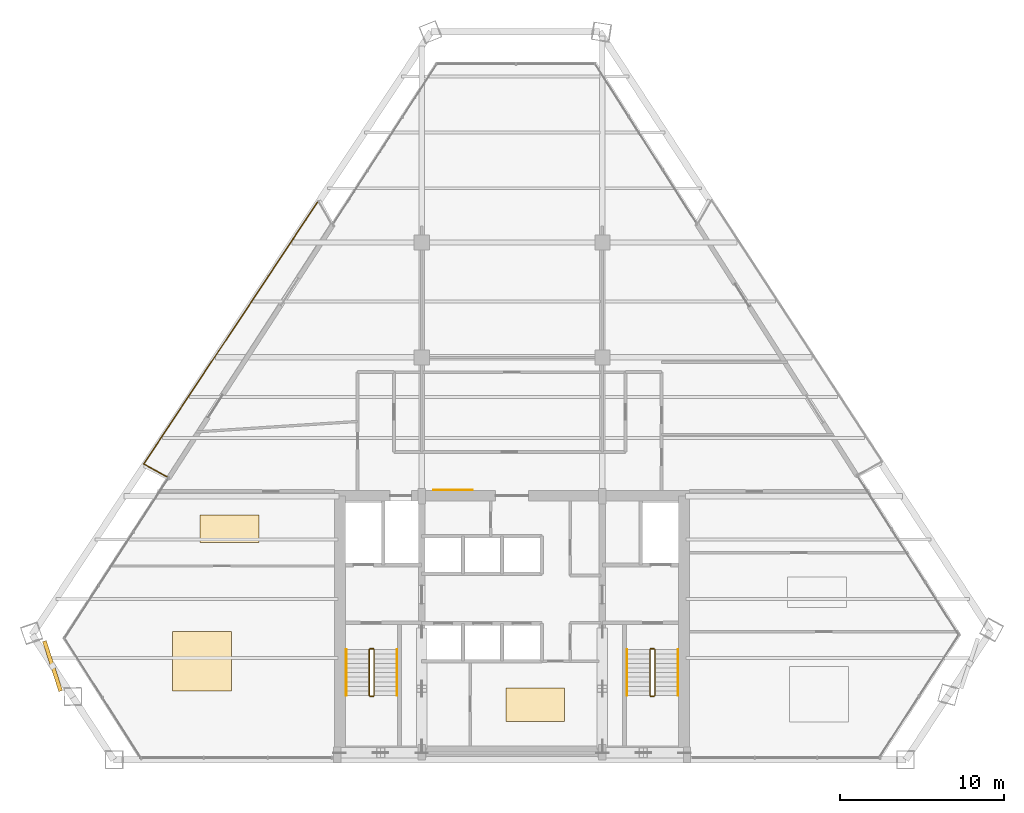
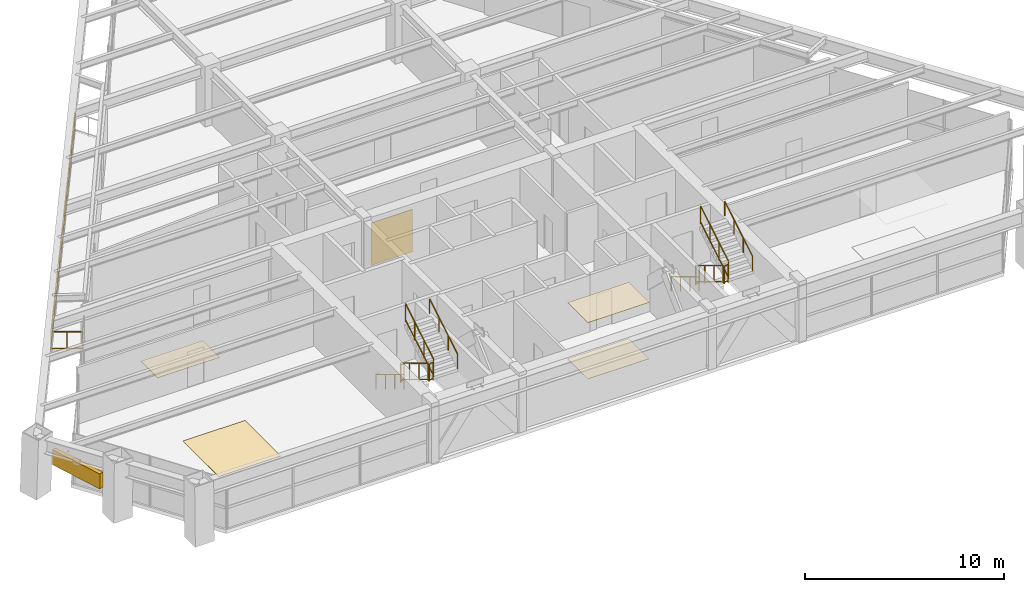
# One storey, part 14 of 15: 14 railings, 5 coverings, 1 shading device.
"""IFC4 building model written with IfcOpenShell, lengths in metres."""

from ifc_helpers import new_model, si_unit, direction, frame, origin, origin_2d, place, context, subcontext, project, spatial, rectangle, extrude, source, transform, mapped, material, layer, layer_set, type_object, type_shapes, element, save


model = new_model("IFC4")

# Units and contexts
model_context = context("Model", 3, precision=1e-05, world=origin(), true_north=direction((0.0, 1.0)))
body_context = subcontext(model_context, "Body", "Model", "MODEL_VIEW")
ifc_project = project(units=[si_unit("LENGTHUNIT", "METRE"), si_unit("AREAUNIT", "SQUARE_METRE"), si_unit("VOLUMEUNIT", "CUBIC_METRE"), si_unit("PLANEANGLEUNIT", "RADIAN"), si_unit("MASSUNIT", "GRAM", prefix="KILO")], contexts=[model_context])

# Site, building, storey
site_placement = place(None, origin())
site = spatial("IfcSite", under=ifc_project, at=site_placement, CompositionType="ELEMENT")
building_placement = place(site_placement, origin())
building = spatial("IfcBuilding", under=site, at=building_placement, Name="Varnakhor Terracotta Tower", CompositionType="ELEMENT")
storey_placement = place(building_placement, frame((0.0, 0.0, 144.10009765625)))
storey = spatial("IfcBuildingStorey", under=building, at=storey_placement, Name="L36", CompositionType="ELEMENT", Elevation=144.10009765625)

# Railings
ifc_material_1 = material(Name="Stainless Steel & Laminated Glass Guardrail", Category="steel")
railing_type_1 = type_object("IfcRailingType", Name="RLG-LOGGIA-GUARD-1150", PredefinedType="GUARDRAIL", material=ifc_material_1)
railing_1_placement = place(storey_placement, frame((-21.018798828125, 17.227783203125, 0.0)))
element("IfcRailing", 1, at=railing_1_placement, inside=storey, type_object=railing_type_1, Name="L36 W Loggia Glass Guard 1", PredefinedType="GUARDRAIL", context=body_context, shape_type="SweptSolid", body=[
    extrude(rectangle(XDim=0.048095703125, YDim=0.048095703125, at=origin_2d()), frame((0.0, 0.0, 1.1259765625), z_axis=(-0.872738452506, 0.488188071871, 0.0), x_axis=(-0.488188071871, -0.872738452506, 0.0)), (0.0, 0.0, 1.0), 1.611328125),
    extrude(rectangle(XDim=0.048095703125, YDim=0.048095703125, at=origin_2d()), frame((0.0, 0.0, 0.10009765625), z_axis=(-0.872738452506, 0.488188071871, 0.0), x_axis=(-0.488188071871, -0.872738452506, 0.0)), (0.0, 0.0, 1.0), 1.611328125),
    extrude(rectangle(XDim=0.0419921875, YDim=0.0419921875, at=origin_2d()), origin(), (0.0, 0.0, 1.0), 1.101806640625),
    extrude(rectangle(XDim=0.0419921875, YDim=0.0419921875, at=origin_2d()), frame((-0.703125, 0.393310546875, 0.0)), (0.0, 0.0, 1.0), 1.101806640625),
    extrude(rectangle(XDim=0.0419921875, YDim=0.0419921875, at=origin_2d()), frame((-1.40625, 0.78662109375, 0.0)), (0.0, 0.0, 1.0), 1.101806640625),
])
railing_2_placement = place(storey_placement, frame((-22.425048828125, 18.014404296875, 0.0)))
element("IfcRailing", 2, at=railing_2_placement, inside=storey, type_object=railing_type_1, Name="L36 W Loggia Glass Guard 2", PredefinedType="GUARDRAIL", context=body_context, shape_type="SweptSolid", body=[
    extrude(rectangle(XDim=0.048095703125, YDim=0.048095703125, at=origin_2d()), frame((0.0, 0.0, 1.1259765625), z_axis=(0.553014923303, 0.833171347686, 0.0), x_axis=(-0.833171347686, 0.553014923303, 0.0)), (0.0, 0.0, 1.0), 19.2021484375),
    extrude(rectangle(XDim=0.048095703125, YDim=0.048095703125, at=origin_2d()), frame((0.0, 0.0, 0.10009765625), z_axis=(0.553014923303, 0.833171347686, 0.0), x_axis=(-0.833171347686, 0.553014923303, 0.0)), (0.0, 0.0, 1.0), 19.2021484375),
    extrude(rectangle(XDim=0.0419921875, YDim=0.0419921875, at=origin_2d()), origin(), (0.0, 0.0, 1.0), 1.101806640625),
    extrude(rectangle(XDim=0.0419921875, YDim=0.0419921875, at=origin_2d()), frame((0.758544921875, 1.142822265625, 0.0)), (0.0, 0.0, 1.0), 1.101806640625),
    extrude(rectangle(XDim=0.0419921875, YDim=0.0419921875, at=origin_2d()), frame((1.51708984375, 2.28564453125, 0.0)), (0.0, 0.0, 1.0), 1.101806640625),
    extrude(rectangle(XDim=0.0419921875, YDim=0.0419921875, at=origin_2d()), frame((2.275634765625, 3.42822265625, 0.0)), (0.0, 0.0, 1.0), 1.101806640625),
    extrude(rectangle(XDim=0.0419921875, YDim=0.0419921875, at=origin_2d()), frame((3.033935546875, 4.571044921875, 0.0)), (0.0, 0.0, 1.0), 1.101806640625),
    extrude(rectangle(XDim=0.0419921875, YDim=0.0419921875, at=origin_2d()), frame((3.79248046875, 5.7138671875, 0.0)), (0.0, 0.0, 1.0), 1.101806640625),
    extrude(rectangle(XDim=0.0419921875, YDim=0.0419921875, at=origin_2d()), frame((4.551025390625, 6.856689453125, 0.0)), (0.0, 0.0, 1.0), 1.101806640625),
    extrude(rectangle(XDim=0.0419921875, YDim=0.0419921875, at=origin_2d()), frame((5.3095703125, 7.99951171875, 0.0)), (0.0, 0.0, 1.0), 1.101806640625),
    extrude(rectangle(XDim=0.0419921875, YDim=0.0419921875, at=origin_2d()), frame((6.068115234375, 9.14208984375, 0.0)), (0.0, 0.0, 1.0), 1.101806640625),
    extrude(rectangle(XDim=0.0419921875, YDim=0.0419921875, at=origin_2d()), frame((6.82666015625, 10.284912109375, 0.0)), (0.0, 0.0, 1.0), 1.101806640625),
    extrude(rectangle(XDim=0.0419921875, YDim=0.0419921875, at=origin_2d()), frame((7.585205078125, 11.427734375, 0.0)), (0.0, 0.0, 1.0), 1.101806640625),
    extrude(rectangle(XDim=0.0419921875, YDim=0.0419921875, at=origin_2d()), frame((8.343505859375, 12.570556640625, 0.0)), (0.0, 0.0, 1.0), 1.101806640625),
    extrude(rectangle(XDim=0.0419921875, YDim=0.0419921875, at=origin_2d()), frame((9.10205078125, 13.713134765625, 0.0)), (0.0, 0.0, 1.0), 1.101806640625),
    extrude(rectangle(XDim=0.0419921875, YDim=0.0419921875, at=origin_2d()), frame((9.860595703125, 14.85595703125, 0.0)), (0.0, 0.0, 1.0), 1.101806640625),
    extrude(rectangle(XDim=0.0419921875, YDim=0.0419921875, at=origin_2d()), frame((10.619140625, 15.998779296875, 0.0)), (0.0, 0.0, 1.0), 1.101806640625),
])
ifc_material_2 = material(Name="Painted Steel Stairwell Guardrail", Category="steel")
railing_type_2 = type_object("IfcRailingType", Name="RLG-STAIR-GUARD-1120", PredefinedType="GUARDRAIL", material=ifc_material_2)
railing_3_placement = place(storey_placement, frame((-8.699951171875, 6.7099609375, 0.16796875)))
element("IfcRailing", 3, at=railing_3_placement, inside=storey, type_object=railing_type_2, Name="L36 ST-1 stair guard 1", PredefinedType="GUARDRAIL", context=body_context, shape_type="SweptSolid", body=[
    extrude(rectangle(XDim=0.048095703125, YDim=0.048095703125, at=origin_2d()), frame((0.0, 0.0, 1.09619140625), z_axis=(0.0, -0.857242210791, 0.514913383045), x_axis=(1.0, 0.0, 0.0)), (0.0, 0.0, 1.0), 3.266357421875),
    extrude(rectangle(XDim=0.048095703125, YDim=0.048095703125, at=origin_2d()), frame((0.0, 0.0, 0.10009765625), z_axis=(0.0, -0.857242210791, 0.514913383045), x_axis=(1.0, 0.0, 0.0)), (0.0, 0.0, 1.0), 3.266357421875),
    extrude(rectangle(XDim=0.0419921875, YDim=0.0419921875, at=origin_2d()), origin(), (0.0, 0.0, 1.0), 1.072021484375),
    extrude(rectangle(XDim=0.0419921875, YDim=0.0419921875, at=origin_2d()), frame((0.0, -0.933349609375, 0.560546875)), (0.0, 0.0, 1.0), 1.072021484375),
    extrude(rectangle(XDim=0.0419921875, YDim=0.0419921875, at=origin_2d()), frame((0.0, -1.86669921875, 1.121337890625)), (0.0, 0.0, 1.0), 1.072021484375),
    extrude(rectangle(XDim=0.0419921875, YDim=0.0419921875, at=origin_2d()), frame((0.0, -2.800048828125, 1.681884765625)), (0.0, 0.0, 1.0), 1.072021484375),
])
railing_4_placement = place(storey_placement, frame((-8.64990234375, 3.860107421875, 1.849853515625)))
element("IfcRailing", 4, at=railing_4_placement, inside=storey, type_object=railing_type_2, Name="L36 ST-1 stair guard 2", PredefinedType="GUARDRAIL", context=body_context, shape_type="SweptSolid", body=[
    extrude(rectangle(XDim=0.048095703125, YDim=0.048095703125, at=origin_2d()), frame((0.0, 0.0, 1.09619140625), z_axis=(1.0, 0.0, 0.0), x_axis=(0.0, 1.0, 0.0)), (0.0, 0.0, 1.0), 0.199951171875),
    extrude(rectangle(XDim=0.048095703125, YDim=0.048095703125, at=origin_2d()), frame((0.0, 0.0, 0.10009765625), z_axis=(1.0, 0.0, 0.0), x_axis=(0.0, 1.0, 0.0)), (0.0, 0.0, 1.0), 0.199951171875),
    extrude(rectangle(XDim=0.0419921875, YDim=0.0419921875, at=origin_2d()), origin(), (0.0, 0.0, 1.0), 1.072021484375),
    extrude(rectangle(XDim=0.0419921875, YDim=0.0419921875, at=origin_2d()), frame((0.199951171875, 0.0, 0.0)), (0.0, 0.0, 1.0), 1.072021484375),
])
railing_5_placement = place(storey_placement, frame((-8.39990234375, 3.909912109375, 2.01806640625)))
element("IfcRailing", 5, at=railing_5_placement, inside=storey, type_object=railing_type_2, Name="L36 ST-1 stair guard 3", PredefinedType="GUARDRAIL", context=body_context, shape_type="SweptSolid", body=[
    extrude(rectangle(XDim=0.048095703125, YDim=0.048095703125, at=origin_2d()), frame((0.0, 0.0, 1.09619140625), z_axis=(0.0, 0.857242210791, 0.514913383045), x_axis=(-1.0, 0.0, 0.0)), (0.0, 0.0, 1.0), 3.266357421875),
    extrude(rectangle(XDim=0.048095703125, YDim=0.048095703125, at=origin_2d()), frame((0.0, 0.0, 0.10009765625), z_axis=(0.0, 0.857242210791, 0.514913383045), x_axis=(-1.0, 0.0, 0.0)), (0.0, 0.0, 1.0), 3.266357421875),
    extrude(rectangle(XDim=0.0419921875, YDim=0.0419921875, at=origin_2d()), origin(), (0.0, 0.0, 1.0), 1.072021484375),
    extrude(rectangle(XDim=0.0419921875, YDim=0.0419921875, at=origin_2d()), frame((0.0, 0.933349609375, 0.560546875)), (0.0, 0.0, 1.0), 1.072021484375),
    extrude(rectangle(XDim=0.0419921875, YDim=0.0419921875, at=origin_2d()), frame((0.0, 1.86669921875, 1.121337890625)), (0.0, 0.0, 1.0), 1.072021484375),
    extrude(rectangle(XDim=0.0419921875, YDim=0.0419921875, at=origin_2d()), frame((0.0, 2.800048828125, 1.681884765625)), (0.0, 0.0, 1.0), 1.072021484375),
])
railing_6_placement = place(storey_placement, frame((-8.64990234375, 6.760009765625, 0.0)))
element("IfcRailing", 6, at=railing_6_placement, inside=storey, type_object=railing_type_2, Name="L36 ST-1 stair guard 4", PredefinedType="GUARDRAIL", context=body_context, shape_type="SweptSolid", body=[
    extrude(rectangle(XDim=0.048095703125, YDim=0.048095703125, at=origin_2d()), frame((0.0, 0.0, 1.09619140625), z_axis=(1.0, 0.0, 0.0), x_axis=(0.0, 1.0, 0.0)), (0.0, 0.0, 1.0), 0.199951171875),
    extrude(rectangle(XDim=0.048095703125, YDim=0.048095703125, at=origin_2d()), frame((0.0, 0.0, 0.10009765625), z_axis=(1.0, 0.0, 0.0), x_axis=(0.0, 1.0, 0.0)), (0.0, 0.0, 1.0), 0.199951171875),
    extrude(rectangle(XDim=0.0419921875, YDim=0.0419921875, at=origin_2d()), origin(), (0.0, 0.0, 1.0), 1.072021484375),
    extrude(rectangle(XDim=0.0419921875, YDim=0.0419921875, at=origin_2d()), frame((0.199951171875, 0.0, 0.0)), (0.0, 0.0, 1.0), 1.072021484375),
])
railing_7_placement = place(storey_placement, frame((8.39990234375, 6.7099609375, 0.16796875)))
element("IfcRailing", 7, at=railing_7_placement, inside=storey, type_object=railing_type_2, Name="L36 ST-2 stair guard 1", PredefinedType="GUARDRAIL", context=body_context, shape_type="SweptSolid", body=[
    extrude(rectangle(XDim=0.048095703125, YDim=0.048095703125, at=origin_2d()), frame((0.0, 0.0, 1.09619140625), z_axis=(0.0, -0.857242210791, 0.514913383045), x_axis=(1.0, 0.0, 0.0)), (0.0, 0.0, 1.0), 3.266357421875),
    extrude(rectangle(XDim=0.048095703125, YDim=0.048095703125, at=origin_2d()), frame((0.0, 0.0, 0.10009765625), z_axis=(0.0, -0.857242210791, 0.514913383045), x_axis=(1.0, 0.0, 0.0)), (0.0, 0.0, 1.0), 3.266357421875),
    extrude(rectangle(XDim=0.0419921875, YDim=0.0419921875, at=origin_2d()), origin(), (0.0, 0.0, 1.0), 1.072021484375),
    extrude(rectangle(XDim=0.0419921875, YDim=0.0419921875, at=origin_2d()), frame((0.0, -0.933349609375, 0.560546875)), (0.0, 0.0, 1.0), 1.072021484375),
    extrude(rectangle(XDim=0.0419921875, YDim=0.0419921875, at=origin_2d()), frame((0.0, -1.86669921875, 1.121337890625)), (0.0, 0.0, 1.0), 1.072021484375),
    extrude(rectangle(XDim=0.0419921875, YDim=0.0419921875, at=origin_2d()), frame((0.0, -2.800048828125, 1.681884765625)), (0.0, 0.0, 1.0), 1.072021484375),
])
railing_8_placement = place(storey_placement, frame((8.449951171875, 3.860107421875, 1.849853515625)))
element("IfcRailing", 8, at=railing_8_placement, inside=storey, type_object=railing_type_2, Name="L36 ST-2 stair guard 2", PredefinedType="GUARDRAIL", context=body_context, shape_type="SweptSolid", body=[
    extrude(rectangle(XDim=0.048095703125, YDim=0.048095703125, at=origin_2d()), frame((0.0, 0.0, 1.09619140625), z_axis=(1.0, 0.0, 0.0), x_axis=(0.0, 1.0, 0.0)), (0.0, 0.0, 1.0), 0.199951171875),
    extrude(rectangle(XDim=0.048095703125, YDim=0.048095703125, at=origin_2d()), frame((0.0, 0.0, 0.10009765625), z_axis=(1.0, 0.0, 0.0), x_axis=(0.0, 1.0, 0.0)), (0.0, 0.0, 1.0), 0.199951171875),
    extrude(rectangle(XDim=0.0419921875, YDim=0.0419921875, at=origin_2d()), origin(), (0.0, 0.0, 1.0), 1.072021484375),
    extrude(rectangle(XDim=0.0419921875, YDim=0.0419921875, at=origin_2d()), frame((0.199951171875, 0.0, 0.0)), (0.0, 0.0, 1.0), 1.072021484375),
])
railing_9_placement = place(storey_placement, frame((8.699951171875, 3.909912109375, 2.01806640625)))
element("IfcRailing", 9, at=railing_9_placement, inside=storey, type_object=railing_type_2, Name="L36 ST-2 stair guard 3", PredefinedType="GUARDRAIL", context=body_context, shape_type="SweptSolid", body=[
    extrude(rectangle(XDim=0.048095703125, YDim=0.048095703125, at=origin_2d()), frame((0.0, 0.0, 1.09619140625), z_axis=(0.0, 0.857242210791, 0.514913383045), x_axis=(-1.0, 0.0, 0.0)), (0.0, 0.0, 1.0), 3.266357421875),
    extrude(rectangle(XDim=0.048095703125, YDim=0.048095703125, at=origin_2d()), frame((0.0, 0.0, 0.10009765625), z_axis=(0.0, 0.857242210791, 0.514913383045), x_axis=(-1.0, 0.0, 0.0)), (0.0, 0.0, 1.0), 3.266357421875),
    extrude(rectangle(XDim=0.0419921875, YDim=0.0419921875, at=origin_2d()), origin(), (0.0, 0.0, 1.0), 1.072021484375),
    extrude(rectangle(XDim=0.0419921875, YDim=0.0419921875, at=origin_2d()), frame((0.0, 0.933349609375, 0.560546875)), (0.0, 0.0, 1.0), 1.072021484375),
    extrude(rectangle(XDim=0.0419921875, YDim=0.0419921875, at=origin_2d()), frame((0.0, 1.86669921875, 1.121337890625)), (0.0, 0.0, 1.0), 1.072021484375),
    extrude(rectangle(XDim=0.0419921875, YDim=0.0419921875, at=origin_2d()), frame((0.0, 2.800048828125, 1.681884765625)), (0.0, 0.0, 1.0), 1.072021484375),
])
railing_10_placement = place(storey_placement, frame((8.449951171875, 6.760009765625, 0.0)))
element("IfcRailing", 10, at=railing_10_placement, inside=storey, type_object=railing_type_2, Name="L36 ST-2 stair guard 4", PredefinedType="GUARDRAIL", context=body_context, shape_type="SweptSolid", body=[
    extrude(rectangle(XDim=0.048095703125, YDim=0.048095703125, at=origin_2d()), frame((0.0, 0.0, 1.09619140625), z_axis=(1.0, 0.0, 0.0), x_axis=(0.0, 1.0, 0.0)), (0.0, 0.0, 1.0), 0.199951171875),
    extrude(rectangle(XDim=0.048095703125, YDim=0.048095703125, at=origin_2d()), frame((0.0, 0.0, 0.10009765625), z_axis=(1.0, 0.0, 0.0), x_axis=(0.0, 1.0, 0.0)), (0.0, 0.0, 1.0), 0.199951171875),
    extrude(rectangle(XDim=0.0419921875, YDim=0.0419921875, at=origin_2d()), origin(), (0.0, 0.0, 1.0), 1.072021484375),
    extrude(rectangle(XDim=0.0419921875, YDim=0.0419921875, at=origin_2d()), frame((0.199951171875, 0.0, 0.0)), (0.0, 0.0, 1.0), 1.072021484375),
])
ifc_material_3 = material(Name="Brushed Stainless Steel Handrail", Category="steel")
railing_type_3 = type_object("IfcRailingType", Name="RLG-STAIR-HANDRAIL-920", PredefinedType="HANDRAIL", material=ifc_material_3)
railing_11_placement = place(storey_placement, frame((-10.10009765625, 6.7099609375, 0.16796875)))
element("IfcRailing", 11, at=railing_11_placement, inside=storey, type_object=railing_type_3, Name="L36 ST-1 stair handrail 1", PredefinedType="HANDRAIL", context=body_context, shape_type="SweptSolid", body=[
    extrude(rectangle(XDim=0.048095703125, YDim=0.048095703125, at=origin_2d()), frame((0.0, 0.0, 0.89599609375), z_axis=(0.0, -0.857242210791, 0.514913383045), x_axis=(1.0, 0.0, 0.0)), (0.0, 0.0, 1.0), 3.266357421875),
    extrude(rectangle(XDim=0.0419921875, YDim=0.0419921875, at=origin_2d()), origin(), (0.0, 0.0, 1.0), 0.871826171875),
    extrude(rectangle(XDim=0.0419921875, YDim=0.0419921875, at=origin_2d()), frame((0.0, -0.933349609375, 0.560546875)), (0.0, 0.0, 1.0), 0.871826171875),
    extrude(rectangle(XDim=0.0419921875, YDim=0.0419921875, at=origin_2d()), frame((0.0, -1.86669921875, 1.121337890625)), (0.0, 0.0, 1.0), 0.871826171875),
    extrude(rectangle(XDim=0.0419921875, YDim=0.0419921875, at=origin_2d()), frame((0.0, -2.800048828125, 1.681884765625)), (0.0, 0.0, 1.0), 0.871826171875),
])
railing_12_placement = place(storey_placement, frame((-7.0, 3.909912109375, 2.01806640625)))
element("IfcRailing", 12, at=railing_12_placement, inside=storey, type_object=railing_type_3, Name="L36 ST-1 stair handrail 2", PredefinedType="HANDRAIL", context=body_context, shape_type="SweptSolid", body=[
    extrude(rectangle(XDim=0.048095703125, YDim=0.048095703125, at=origin_2d()), frame((0.0, 0.0, 0.89599609375), z_axis=(0.0, 0.857242210791, 0.514913383045), x_axis=(-1.0, 0.0, 0.0)), (0.0, 0.0, 1.0), 3.266357421875),
    extrude(rectangle(XDim=0.0419921875, YDim=0.0419921875, at=origin_2d()), origin(), (0.0, 0.0, 1.0), 0.871826171875),
    extrude(rectangle(XDim=0.0419921875, YDim=0.0419921875, at=origin_2d()), frame((0.0, 0.933349609375, 0.560546875)), (0.0, 0.0, 1.0), 0.871826171875),
    extrude(rectangle(XDim=0.0419921875, YDim=0.0419921875, at=origin_2d()), frame((0.0, 1.86669921875, 1.121337890625)), (0.0, 0.0, 1.0), 0.871826171875),
    extrude(rectangle(XDim=0.0419921875, YDim=0.0419921875, at=origin_2d()), frame((0.0, 2.800048828125, 1.681884765625)), (0.0, 0.0, 1.0), 0.871826171875),
])
railing_13_placement = place(storey_placement, frame((7.0, 6.7099609375, 0.16796875)))
element("IfcRailing", 13, at=railing_13_placement, inside=storey, type_object=railing_type_3, Name="L36 ST-2 stair handrail 1", PredefinedType="HANDRAIL", context=body_context, shape_type="SweptSolid", body=[
    extrude(rectangle(XDim=0.048095703125, YDim=0.048095703125, at=origin_2d()), frame((0.0, 0.0, 0.89599609375), z_axis=(0.0, -0.857242210791, 0.514913383045), x_axis=(1.0, 0.0, 0.0)), (0.0, 0.0, 1.0), 3.266357421875),
    extrude(rectangle(XDim=0.0419921875, YDim=0.0419921875, at=origin_2d()), origin(), (0.0, 0.0, 1.0), 0.871826171875),
    extrude(rectangle(XDim=0.0419921875, YDim=0.0419921875, at=origin_2d()), frame((0.0, -0.933349609375, 0.560546875)), (0.0, 0.0, 1.0), 0.871826171875),
    extrude(rectangle(XDim=0.0419921875, YDim=0.0419921875, at=origin_2d()), frame((0.0, -1.86669921875, 1.121337890625)), (0.0, 0.0, 1.0), 0.871826171875),
    extrude(rectangle(XDim=0.0419921875, YDim=0.0419921875, at=origin_2d()), frame((0.0, -2.800048828125, 1.681884765625)), (0.0, 0.0, 1.0), 0.871826171875),
])
railing_14_placement = place(storey_placement, frame((10.10009765625, 3.909912109375, 2.01806640625)))
element("IfcRailing", 14, at=railing_14_placement, inside=storey, type_object=railing_type_3, Name="L36 ST-2 stair handrail 2", PredefinedType="HANDRAIL", context=body_context, shape_type="SweptSolid", body=[
    extrude(rectangle(XDim=0.048095703125, YDim=0.048095703125, at=origin_2d()), frame((0.0, 0.0, 0.89599609375), z_axis=(0.0, 0.857242210791, 0.514913383045), x_axis=(-1.0, 0.0, 0.0)), (0.0, 0.0, 1.0), 3.266357421875),
    extrude(rectangle(XDim=0.0419921875, YDim=0.0419921875, at=origin_2d()), origin(), (0.0, 0.0, 1.0), 0.871826171875),
    extrude(rectangle(XDim=0.0419921875, YDim=0.0419921875, at=origin_2d()), frame((0.0, 0.933349609375, 0.560546875)), (0.0, 0.0, 1.0), 0.871826171875),
    extrude(rectangle(XDim=0.0419921875, YDim=0.0419921875, at=origin_2d()), frame((0.0, 1.86669921875, 1.121337890625)), (0.0, 0.0, 1.0), 0.871826171875),
    extrude(rectangle(XDim=0.0419921875, YDim=0.0419921875, at=origin_2d()), frame((0.0, 2.800048828125, 1.681884765625)), (0.0, 0.0, 1.0), 0.871826171875),
])

# Shading device
ifc_material_4 = material(Name="Extruded Architectural Terracotta Screen", Category="masonry")
shading_device_type = type_object("IfcShadingDeviceType", Name="TERRACOTTA SOLAR SCREEN W", PredefinedType="USERDEFINED", material=ifc_material_4)
shared_shape_1 = source(origin(), body_context, "Body", "SweptSolid", [
    extrude(rectangle(XDim=3.199951171875, YDim=0.239990234375, at=origin_2d()), origin(), (0.0, 0.0, 1.0), 0.919921875),
])
type_shapes(shading_device_type, [shared_shape_1])
shading_device_placement = place(storey_placement, frame((-27.980712890625, 5.703125, 1.7099609375), z_axis=(0.0, 0.0, 1.0), x_axis=(0.311057966058, -0.950390941535, 0.0)))
element("IfcShadingDevice", 15, at=shading_device_placement, inside=storey, type_object=shading_device_type, Name="L36 W Terracotta Solar Screen", ObjectType="SCREEN", PredefinedType="USERDEFINED", context=body_context, shape_type="MappedRepresentation", body=[
    mapped(shared_shape_1, transform((0.0, 0.0, 0.0), scale=1.0)),
])

# Coverings
ifc_material_5 = material(Name="Extruded Architectural Terracotta Cladding", Category="masonry")
ifc_layer_1 = layer(ifc_material_5, 0.044921875, Name="Extruded Architectural Terracotta Cladding")
ifc_layer_set_1 = layer_set([ifc_layer_1], Name="Extruded Architectural Terracotta Cladding")
covering_type_1 = type_object("IfcCoveringType", Name="COV-CLAD-TERRACOTTA", PredefinedType="CLADDING", material=ifc_layer_set_1)
shared_shape_2 = source(origin(), body_context, "Body", "SweptSolid", [
    extrude(rectangle(XDim=2.39990234375, YDim=0.030029296875, at=origin_2d()), origin(), (0.0, 0.0, 1.0), 2.60009765625),
])
type_shapes(covering_type_1, [shared_shape_2])
covering_1_placement = place(storey_placement, frame((-3.60009765625, 16.412109375, -0.000244140625), z_axis=(0.0, 0.0, 1.0), x_axis=(1.0, 0.0, 0.0)))
element("IfcCovering", 16, at=covering_1_placement, inside=storey, type_object=covering_type_1, Name="L36 Core Lobby Limestone Cladding", PredefinedType="CLADDING", context=body_context, shape_type="MappedRepresentation", body=[
    mapped(shared_shape_2, transform((0.0, 0.0, 0.0), scale=1.0)),
])
ifc_material_6 = material(Name="Honed Riyadh Limestone Flooring", Category="masonry")
ifc_layer_2 = layer(ifc_material_6, 0.030029296875, Name="Honed Riyadh Limestone Flooring")
ifc_layer_set_2 = layer_set([ifc_layer_2], Name="Honed Riyadh Limestone Flooring")
covering_type_2 = type_object("IfcCoveringType", Name="COV-FLOOR-LIMESTONE", PredefinedType="FLOORING", material=ifc_layer_set_2)
shared_shape_3 = source(origin(), body_context, "Body", "SweptSolid", [
    extrude(rectangle(XDim=3.60009765625, YDim=3.60009765625, at=origin_2d()), origin(), (0.0, 0.0, 1.0), 0.02001953125),
])
covering_2_placement = place(storey_placement, frame((-18.8759765625, 6.001953125, 0.0), z_axis=(0.0, 0.0, 1.0), x_axis=(1.0, 0.0, 0.0)))
element("IfcCovering", 17, at=covering_2_placement, inside=storey, type_object=covering_type_2, Name="L36 Honed Stone Flooring 3", PredefinedType="FLOORING", context=body_context, shape_type="MappedRepresentation", body=[
    mapped(shared_shape_3, transform((0.0, 0.0, 0.0), scale=1.0)),
])
shared_shape_4 = source(origin(), body_context, "Body", "SweptSolid", [
    extrude(rectangle(XDim=3.60009765625, YDim=1.69189453125, at=origin_2d()), origin(), (0.0, 0.0, 1.0), 0.02001953125),
])
covering_3_placement = place(storey_placement, frame((-17.214111328125, 14.06396484375, 0.0), z_axis=(0.0, 0.0, 1.0), x_axis=(1.0, 0.0, 0.0)))
element("IfcCovering", 18, at=covering_3_placement, inside=storey, type_object=covering_type_2, Name="L36 Honed Stone Flooring 5", PredefinedType="FLOORING", context=body_context, shape_type="MappedRepresentation", body=[
    mapped(shared_shape_4, transform((0.0, 0.0, 0.0), scale=1.0)),
])
shared_shape_5 = source(origin(), body_context, "Body", "SweptSolid", [
    extrude(rectangle(XDim=3.547119140625, YDim=2.041015625, at=origin_2d()), origin(), (0.0, 0.0, 1.0), 0.02001953125),
])
covering_4_placement = place(storey_placement, frame((1.4150390625, 3.35498046875, 0.0), z_axis=(0.0, 0.0, 1.0), x_axis=(1.0, 0.0, 0.0)))
element("IfcCovering", 19, at=covering_4_placement, inside=storey, type_object=covering_type_2, Name="L36 Honed Stone Flooring 1", PredefinedType="FLOORING", context=body_context, shape_type="MappedRepresentation", body=[
    mapped(shared_shape_5, transform((0.0, 0.0, 0.0), scale=1.0)),
])
ifc_material_7 = material(Name="Perforated Acoustic Mineral-Fibre Ceiling", Category="gypsum")
ifc_layer_3 = layer(ifc_material_7, 0.02490234375, Name="Perforated Acoustic Mineral-Fibre Ceiling")
ifc_layer_set_3 = layer_set([ifc_layer_3], Name="Perforated Acoustic Mineral-Fibre Ceiling")
covering_type_3 = type_object("IfcCoveringType", Name="COV-CEILING-ACOUSTIC", PredefinedType="CEILING", material=ifc_layer_set_3)
shared_shape_6 = source(origin(), body_context, "Body", "SweptSolid", [
    extrude(rectangle(XDim=3.547119140625, YDim=2.041015625, at=origin_2d()), origin(), (0.0, 0.0, 1.0), 0.02392578125),
])
covering_5_placement = place(storey_placement, frame((1.4150390625, 3.35498046875, 3.446044921875), z_axis=(0.0, 0.0, 1.0), x_axis=(1.0, 0.0, 0.0)))
element("IfcCovering", 20, at=covering_5_placement, inside=storey, type_object=covering_type_3, Name="L36 Acoustic Ceiling Panel 1", PredefinedType="CEILING", context=body_context, shape_type="MappedRepresentation", body=[
    mapped(shared_shape_6, transform((0.0, 0.0, 0.0), scale=1.0)),
])

save(model, "model.ifc")
